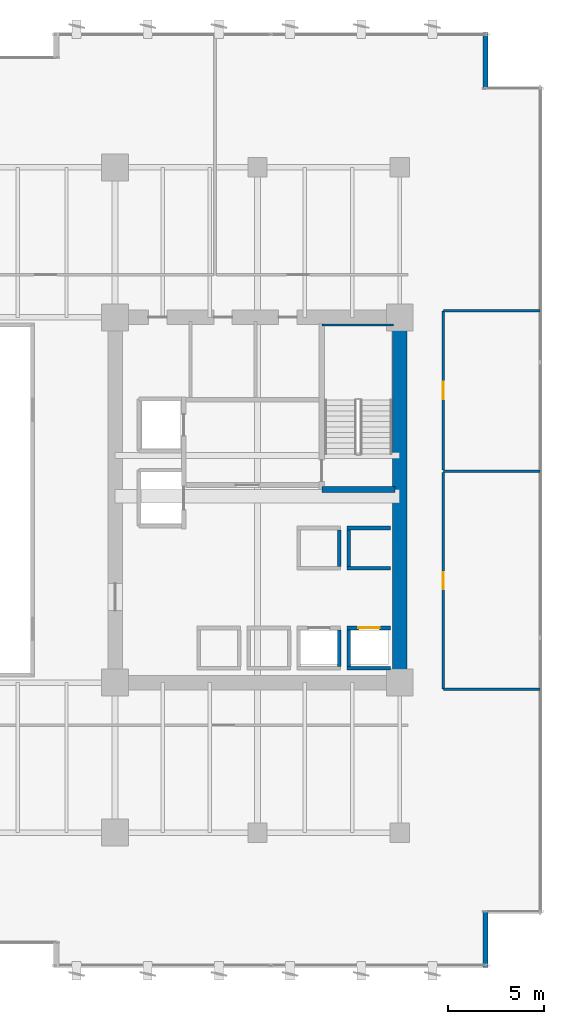
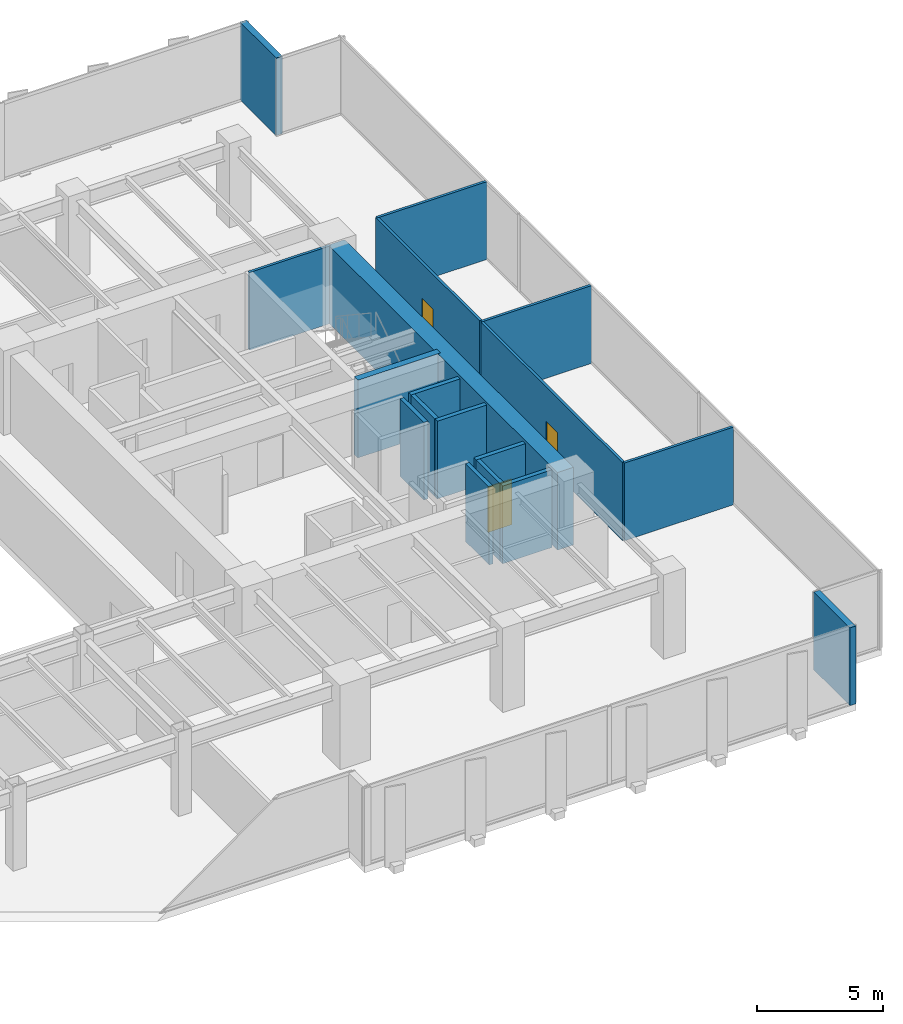
# One storey, part 32 of 36: 18 walls, 3 doors, 3 openings.
"""IFC4 building model written with IfcOpenShell, lengths in metres."""

from ifc_helpers import new_model, si_unit, direction, frame, frame_2d, origin, place, context, subcontext, project, spatial, rectangle, extrude, source, transform, mapped, material, layer, layer_set, type_object, type_shapes, element, fill, save


model = new_model("IFC4")

# Units and contexts
model_context = context("Model", 3, precision=1e-05, world=origin(), true_north=direction((0.0, 1.0)))
body_context = subcontext(model_context, "Body", "Model", "MODEL_VIEW")
ifc_project = project(units=[si_unit("LENGTHUNIT", "METRE"), si_unit("AREAUNIT", "SQUARE_METRE"), si_unit("VOLUMEUNIT", "CUBIC_METRE"), si_unit("PLANEANGLEUNIT", "RADIAN"), si_unit("MASSUNIT", "GRAM", prefix="KILO")], contexts=[model_context])

# Site, building, storey
site_placement = place(None, origin())
site = spatial("IfcSite", under=ifc_project, at=site_placement, CompositionType="ELEMENT")
building_placement = place(site_placement, origin())
building = spatial("IfcBuilding", under=site, at=building_placement, Name="Haelvirn Gate Laboratories", CompositionType="ELEMENT")
storey_placement = place(building_placement, frame((0.0, 0.0, 29.300048828125)))
storey = spatial("IfcBuildingStorey", under=building, at=storey_placement, Name="L07", CompositionType="ELEMENT", Elevation=29.300048828125)

# Walls
ifc_material_1 = material(Name="Thermally-broken bronze aluminium rainscreen & mineral wool", Category="aluminium")
ifc_layer_1 = layer(ifc_material_1, 0.280029296875, Name="EW-TERR-280")
ifc_layer_set_1 = layer_set([ifc_layer_1], Name="Thermally-broken bronze aluminium rainscreen & mineral wool")
wall_type_1 = type_object("IfcWallType", Name="EW-TERR-280", PredefinedType="STANDARD", material=ifc_layer_set_1)
wall_1_placement = place(storey_placement, frame((71.860107421875, 0.0, 0.0), z_axis=(0.0, 0.0, 1.0), x_axis=(0.0, 1.0, 0.0)))
element("IfcWall", 1, at=wall_1_placement, inside=storey, type_object=wall_type_1, Name="L07 Atrium Recess Bronze Return Wall 05", PredefinedType="STANDARD", context=body_context, shape_type="SweptSolid", body=[
    extrude(rectangle(XDim=2.887939453125, YDim=0.280029296875, at=frame_2d((1.44384765625, 0.0))), origin(), (0.0, 0.0, 1.0), 3.780029296875),
])
wall_2_placement = place(storey_placement, frame((71.860107421875, 45.7119140625, 0.0), z_axis=(0.0, 0.0, 1.0), x_axis=(0.0, 1.0, 0.0)))
element("IfcWall", 2, at=wall_2_placement, inside=storey, type_object=wall_type_1, Name="L07 Atrium Recess Bronze Return Wall 09", PredefinedType="STANDARD", context=body_context, shape_type="SweptSolid", body=[
    extrude(rectangle(XDim=2.88818359375, YDim=0.280029296875, at=frame_2d((1.444091796875, 0.0))), origin(), (0.0, 0.0, 1.0), 3.780029296875),
])
ifc_material_2 = material(Name="Lightweight acoustic gypsum board partition", Category="gypsum")
ifc_layer_2 = layer(ifc_material_2, 0.1201171875, Name="IW-PART-120")
ifc_layer_set_2 = layer_set([ifc_layer_2], Name="Lightweight acoustic gypsum board partition")
wall_type_2 = type_object("IfcWallType", Name="IW-PART-120", PredefinedType="PARTITIONING", material=ifc_layer_set_2)
for number, where, z_axis, x_axis, name in (
    (3, (69.669921875, 14.465087890625, 0.0), (0.0, 0.0, 1.0), (1.0, 0.0, 0.0), "L07 Interior Wall IW-L07-ECAP-S"),
    (4, (69.669921875, 34.135009765625, 0.0), (0.0, 0.0, 1.0), (1.0, 0.0, 0.0), "L07 Interior Wall IW-L07-ECAP-N"),
):
    element("IfcWall", number, at=place(storey_placement, frame(where, z_axis=z_axis, x_axis=x_axis)), inside=storey, type_object=wall_type_2, Name=name, PredefinedType="PARTITIONING", context=body_context, shape_type="SweptSolid", body=[
        extrude(rectangle(XDim=5.02001953125, YDim=0.1201171875, at=frame_2d((2.510009765625, 0.0))), origin(), (0.0, 0.0, 1.0), 3.780029296875),
    ])

# Wall, opening, door
wall_3_placement = place(storey_placement, frame((69.669921875, 14.465087890625, 0.0), z_axis=(0.0, 0.0, 1.0), x_axis=(0.0, 1.0, 0.0)))
wall_3 = element("IfcWall", 5, at=wall_3_placement, inside=storey, type_object=wall_type_2, Name="L07 Interior Wall IW-L07-EPASS-01", PredefinedType="PARTITIONING", context=body_context, shape_type="SweptSolid", body=[
    extrude(rectangle(XDim=11.27490234375, YDim=0.1201171875, at=frame_2d((5.637451171875, 0.0))), origin(), (0.0, 0.0, 1.0), 3.780029296875),
])
opening_1_placement = place(wall_3_placement, frame((5.1875, 0.0, 0.0)))
opening_1 = element("IfcOpeningElement", 6, at=opening_1_placement, cuts=wall_3, Name="Opening D4", PredefinedType="OPENING", context=body_context, shape_type="SweptSolid", body=[
    extrude(rectangle(XDim=0.89990234375, YDim=2.10009765625, at=frame_2d((0.449951171875, 1.050048828125))), frame((0.0, 0.070068359375, 0.0), z_axis=(0.0, -1.0, 0.0), x_axis=(1.0, 0.0, 0.0)), (0.0, 0.0, 1.0), 0.14013671875),
])
ifc_material_3 = material(Name="Glazed aluminium-framed write-up door", Category="aluminium")
door_type_1 = type_object("IfcDoorType", Name="DR-OFF-900", OperationType="NOTDEFINED", PredefinedType="DOOR", material=ifc_material_3)
shared_shape_1 = source(origin(), body_context, "Body", "SweptSolid", [
    extrude(rectangle(XDim=0.89990234375, YDim=2.10009765625, at=frame_2d((0.449951171875, 1.050048828125))), frame((0.0, 0.02490234375, 0.0), z_axis=(0.0, -1.0, 0.0), x_axis=(1.0, 0.0, 0.0)), (0.0, 0.0, 1.0), 0.050048828125),
])
type_shapes(door_type_1, [shared_shape_1])
door_1_placement = place(opening_1_placement, origin())
door_1 = element("IfcDoor", 7, at=door_1_placement, inside=storey, type_object=door_type_1, Name="L07 Chemical Synthesis Laboratory Door E1", OperationType="SINGLE_SWING_LEFT", OverallHeight=2.10009765625, OverallWidth=0.89990234375, PredefinedType="DOOR", context=body_context, shape_type="MappedRepresentation", body=[
    mapped(shared_shape_1, transform((0.0, 0.0, 0.0), scale=1.0)),
])
fill(opening_1, door_1)

# Wall
wall_4_placement = place(storey_placement, frame((69.669921875, 25.800048828125, 0.0), z_axis=(0.0, 0.0, 1.0), x_axis=(1.0, 0.0, 0.0)))
element("IfcWall", 8, at=wall_4_placement, inside=storey, type_object=wall_type_2, Name="L07 Interior Wall IW-L07-EDIV-01", PredefinedType="PARTITIONING", context=body_context, shape_type="SweptSolid", body=[
    extrude(rectangle(XDim=5.02001953125, YDim=0.1201171875, at=frame_2d((2.510009765625, 0.0))), origin(), (0.0, 0.0, 1.0), 3.780029296875),
])

# Wall, opening, door
wall_5_placement = place(storey_placement, frame((69.669921875, 25.860107421875, 0.0), z_axis=(0.0, 0.0, 1.0), x_axis=(0.0, 1.0, 0.0)))
wall_5 = element("IfcWall", 9, at=wall_5_placement, inside=storey, type_object=wall_type_2, Name="L07 Interior Wall IW-L07-EPASS-02", PredefinedType="PARTITIONING", context=body_context, shape_type="SweptSolid", body=[
    extrude(rectangle(XDim=8.27490234375, YDim=0.1201171875, at=frame_2d((4.137451171875, 0.0))), origin(), (0.0, 0.0, 1.0), 3.780029296875),
])
opening_2_placement = place(wall_5_placement, frame((3.6875, 0.0, 0.0)))
opening_2 = element("IfcOpeningElement", 10, at=opening_2_placement, cuts=wall_5, Name="Opening D4", PredefinedType="OPENING", context=body_context, shape_type="SweptSolid", body=[
    extrude(rectangle(XDim=0.89990234375, YDim=2.10009765625, at=frame_2d((0.449951171875, 1.050048828125))), frame((0.0, 0.070068359375, 0.0), z_axis=(0.0, -1.0, 0.0), x_axis=(1.0, 0.0, 0.0)), (0.0, 0.0, 1.0), 0.14013671875),
])
door_2_placement = place(opening_2_placement, origin())
door_2 = element("IfcDoor", 11, at=door_2_placement, inside=storey, type_object=door_type_1, Name="L07 Bioprocess Foundry Laboratory Door E2", OperationType="SINGLE_SWING_RIGHT", OverallHeight=2.10009765625, OverallWidth=0.89990234375, PredefinedType="DOOR", context=body_context, shape_type="MappedRepresentation", body=[
    mapped(shared_shape_1, transform((0.0, 0.0, 0.0), scale=1.0)),
])
fill(opening_2, door_2)

# Walls
ifc_material_4 = material(Name="Concrete C40/50", Category="concrete")
ifc_layer_3 = layer(ifc_material_4, 0.179931640625, Name="IW-SHAFT-180")
ifc_layer_set_3 = layer_set([ifc_layer_3], Name="Concrete C40/50")
wall_type_3 = type_object("IfcWallType", Name="IW-SHAFT-180", PredefinedType="SOLIDWALL", material=ifc_layer_set_3)
for number, where, z_axis, x_axis, name in (
    (12, (64.75, 15.64990234375, 0.0), (0.0, 0.0, 1.0), (0.0, 1.0, 0.0), "L07 Interior Wall IW-L07-PL3-SD"),
    (13, (64.25, 15.64990234375, 0.0), (0.0, 0.0, 1.0), (0.0, 1.0, 0.0), "L07 Interior Wall IW-L07-PL4-SDE"),
):
    element("IfcWall", number, at=place(storey_placement, frame(where, z_axis=z_axis, x_axis=x_axis)), inside=storey, type_object=wall_type_3, Name=name, PredefinedType="SOLIDWALL", context=body_context, shape_type="SweptSolid", body=[
        extrude(rectangle(XDim=1.900146484375, YDim=0.179931640625, at=frame_2d((0.9501953125, 0.0))), origin(), (0.0, 0.0, 1.0), 3.780029296875),
    ])
for number, where, z_axis, x_axis, name in (
    (14, (64.75, 20.85009765625, 0.0), (0.0, 0.0, 1.0), (0.0, 1.0, 0.0), "L07 Interior Wall IW-L07-PL11-SD"),
    (15, (64.25, 20.85009765625, 0.0), (0.0, 0.0, 1.0), (0.0, 1.0, 0.0), "L07 Interior Wall IW-L07-PL12-SDE"),
):
    element("IfcWall", number, at=place(storey_placement, frame(where, z_axis=z_axis, x_axis=x_axis)), inside=storey, type_object=wall_type_3, Name=name, PredefinedType="SOLIDWALL", context=body_context, shape_type="SweptSolid", body=[
        extrude(rectangle(XDim=1.89990234375, YDim=0.179931640625, at=frame_2d((0.949951171875, 0.0))), origin(), (0.0, 0.0, 1.0), 3.780029296875),
    ])

# Wall, opening, door
ifc_layer_4 = layer(ifc_material_4, 0.199951171875, Name="IW-SHAFT-200")
ifc_layer_set_4 = layer_set([ifc_layer_4], Name="Concrete C40/50")
wall_type_4 = type_object("IfcWallType", Name="IW-SHAFT-200", PredefinedType="SOLIDWALL", material=ifc_layer_set_4)
wall_6_placement = place(storey_placement, frame((64.669921875, 17.64990234375, 0.0), z_axis=(0.0, 0.0, 1.0), x_axis=(1.0, 0.0, 0.0)))
wall_6 = element("IfcWall", 16, at=wall_6_placement, inside=storey, type_object=wall_type_4, Name="L07 Interior Wall IW-L07-PL3-FR", PredefinedType="SOLIDWALL", context=body_context, shape_type="SweptSolid", body=[
    extrude(rectangle(XDim=2.260009765625, YDim=0.199951171875, at=frame_2d((1.1298828125, 0.0))), origin(), (0.0, 0.0, 1.0), 3.780029296875),
])
opening_3_placement = place(wall_6_placement, frame((0.580078125, 0.0, 0.0)))
opening_3 = element("IfcOpeningElement", 17, at=opening_3_placement, cuts=wall_6, Name="Opening LD2", PredefinedType="OPENING", context=body_context, shape_type="SweptSolid", body=[
    extrude(rectangle(XDim=1.10009765625, YDim=2.219970703125, at=frame_2d((0.550048828125, 1.10986328125))), frame((0.0, 0.10986328125, 0.0), z_axis=(0.0, -1.0, 0.0), x_axis=(1.0, 0.0, 0.0)), (0.0, 0.0, 1.0), 0.219970703125),
])
ifc_material_5 = material(Name="Bronze stainless 316L sliding lift landing door")
door_type_2 = type_object("IfcDoorType", Name="DR-LD-1100", OperationType="NOTDEFINED", PredefinedType="USERDEFINED", material=ifc_material_5)
shared_shape_2 = source(origin(), body_context, "Body", "SweptSolid", [
    extrude(rectangle(XDim=1.10009765625, YDim=2.219970703125, at=frame_2d((0.550048828125, 1.10986328125))), frame((0.0, 0.02490234375, 0.0), z_axis=(0.0, -1.0, 0.0), x_axis=(1.0, 0.0, 0.0)), (0.0, 0.0, 1.0), 0.050048828125),
])
type_shapes(door_type_2, [shared_shape_2])
door_3_placement = place(opening_3_placement, origin())
door_3 = element("IfcDoor", 18, at=door_3_placement, inside=storey, type_object=door_type_2, Name="L07 Passenger Lift PL3 Landing Door", ObjectType="LANDING_DOOR", OperationType="SLIDING_TO_LEFT", OverallHeight=2.219970703125, OverallWidth=1.10009765625, PredefinedType="USERDEFINED", context=body_context, shape_type="MappedRepresentation", body=[
    mapped(shared_shape_2, transform((0.0, 0.0, 0.0), scale=1.0)),
])
fill(opening_3, door_3)

# Walls
for number, where, z_axis, x_axis, name in (
    (19, (64.669921875, 15.550048828125, 0.0), (0.0, 0.0, 1.0), (1.0, 0.0, 0.0), "L07 Interior Wall IW-L07-PL3-BK"),
    (20, (64.669921875, 20.75, 0.0), (0.0, 0.0, 1.0), (1.0, 0.0, 0.0), "L07 Interior Wall IW-L07-PL11-FR"),
    (21, (64.669921875, 22.85009765625, 0.0), (0.0, 0.0, 1.0), (1.0, 0.0, 0.0), "L07 Interior Wall IW-L07-PL11-BK"),
):
    element("IfcWall", number, at=place(storey_placement, frame(where, z_axis=z_axis, x_axis=x_axis)), inside=storey, type_object=wall_type_4, Name=name, PredefinedType="SOLIDWALL", context=body_context, shape_type="SweptSolid", body=[
        extrude(rectangle(XDim=2.260009765625, YDim=0.199951171875, at=frame_2d((1.1298828125, 0.0))), origin(), (0.0, 0.0, 1.0), 3.780029296875),
    ])
ifc_material_6 = material(Name="Concrete C70/85", Category="concrete")
ifc_layer_5 = layer(ifc_material_6, 0.75, Name="SW-CORE-750")
ifc_layer_set_5 = layer_set([ifc_layer_5], Name="Concrete C70/85")
wall_type_5 = type_object("IfcWallType", Name="SW-CORE-750", PredefinedType="SHEAR", material=ifc_layer_set_5)
wall_7_placement = place(storey_placement, frame((67.39990234375, 15.175048828125, 0.0), z_axis=(0.0, 0.0, 1.0), x_axis=(0.0, 1.0, 0.0)))
element("IfcWall", 22, at=wall_7_placement, inside=storey, type_object=wall_type_5, Name="L07 E Core Shear Wall E", PredefinedType="SHEAR", context=body_context, shape_type="SweptSolid", body=[
    extrude(rectangle(XDim=18.25, YDim=0.75, at=frame_2d((9.125, 0.0))), origin(), (0.0, 0.0, 1.0), 3.780029296875),
])
ifc_material_7 = material(Name="Concrete C50/60", Category="concrete")
ifc_layer_6 = layer(ifc_material_7, 0.1201171875, Name="SW-LINER-120")
ifc_layer_set_6 = layer_set([ifc_layer_6], Name="Concrete C50/60")
wall_type_6 = type_object("IfcWallType", Name="SW-LINER-120", PredefinedType="SOLIDWALL", material=ifc_layer_set_6)
wall_8_placement = place(storey_placement, frame((63.35009765625, 33.39990234375, 0.0), z_axis=(0.0, 0.0, 1.0), x_axis=(1.0, 0.0, 0.0)))
element("IfcWall", 23, at=wall_8_placement, inside=storey, type_object=wall_type_6, Name="L07 E Core Stair Shaft Liner Wall N", PredefinedType="SOLIDWALL", context=body_context, shape_type="SweptSolid", body=[
    extrude(rectangle(XDim=3.719970703125, YDim=0.1201171875, at=frame_2d((1.85986328125, 0.0))), origin(), (0.0, 0.0, 1.0), 3.780029296875),
])
ifc_layer_7 = layer(ifc_material_7, 0.300048828125, Name="SW-STAIR-300")
ifc_layer_set_7 = layer_set([ifc_layer_7], Name="Concrete C50/60")
wall_type_7 = type_object("IfcWallType", Name="SW-STAIR-300", PredefinedType="SHEAR", material=ifc_layer_set_7)
wall_9_placement = place(storey_placement, frame((63.35009765625, 24.85009765625, 0.0), z_axis=(0.0, 0.0, 1.0), x_axis=(1.0, 0.0, 0.0)))
element("IfcWall", 24, at=wall_9_placement, inside=storey, type_object=wall_type_7, Name="L07 E Core Stair Shaft Structural Wall S", PredefinedType="SHEAR", context=body_context, shape_type="SweptSolid", body=[
    extrude(rectangle(XDim=3.7998046875, YDim=0.300048828125, at=frame_2d((1.89990234375, 0.0))), origin(), (0.0, 0.0, 1.0), 3.780029296875),
])

save(model, "model.ifc")
